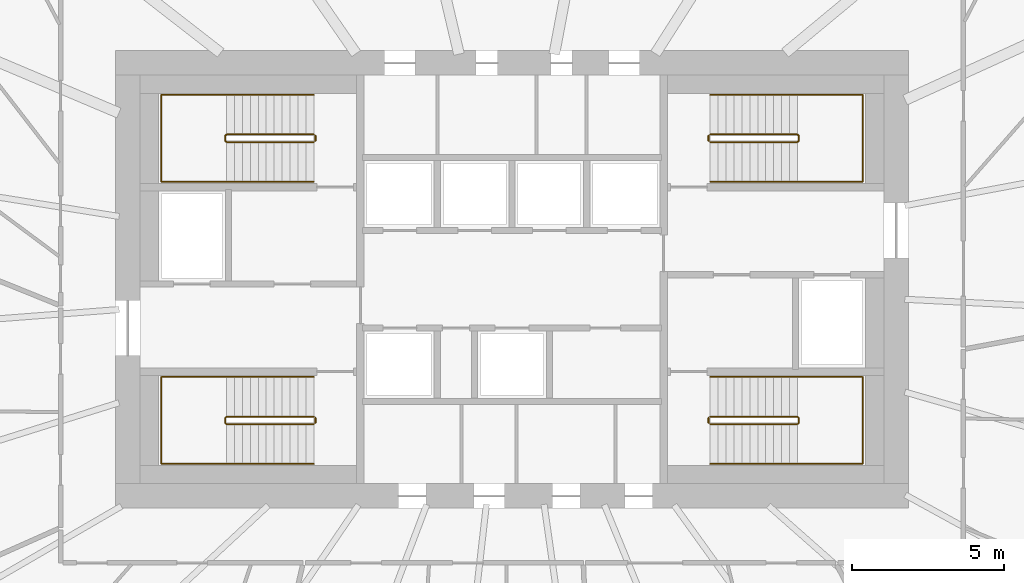
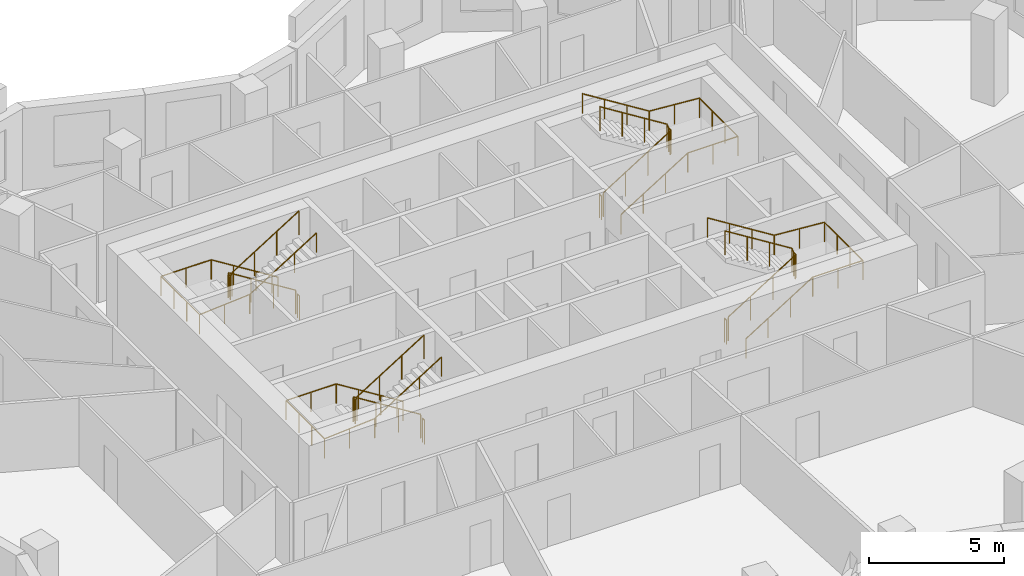
# One storey, part 10 of 10: 12 railings.
"""IFC4 building model written with IfcOpenShell, lengths in metres."""

from ifc_helpers import new_model, si_unit, direction, frame, origin, origin_2d, place, context, subcontext, project, spatial, circle, extrude, material, type_object, element, save


model = new_model("IFC4")

# Units and contexts
model_context = context("Model", 3, precision=1e-05, world=origin(), true_north=direction((0.0, 1.0)))
body_context = subcontext(model_context, "Body", "Model", "MODEL_VIEW")
ifc_project = project(units=[si_unit("LENGTHUNIT", "METRE"), si_unit("AREAUNIT", "SQUARE_METRE"), si_unit("VOLUMEUNIT", "CUBIC_METRE"), si_unit("PLANEANGLEUNIT", "RADIAN"), si_unit("MASSUNIT", "GRAM", prefix="KILO")], contexts=[model_context])

# Site, building, storey
site_placement = place(None, origin())
site = spatial("IfcSite", under=ifc_project, at=site_placement, CompositionType="ELEMENT")
building_placement = place(site_placement, origin())
building = spatial("IfcBuilding", under=site, at=building_placement, Name="Rubra Terraces Tower", CompositionType="ELEMENT")
storey_placement = place(building_placement, frame((0.0, 0.0, 256.5)))
storey = spatial("IfcBuildingStorey", under=building, at=storey_placement, Name="L63", CompositionType="ELEMENT", Elevation=256.5)

# Railings
ifc_material = material(Name="Stainless steel", Category="steel")
railing_type_1 = type_object("IfcRailingType", Name="Core stair guard 1100", PredefinedType="GUARDRAIL", material=ifc_material)
railing_1_placement = place(storey_placement, frame((-6.5, 0.0, 0.16259765625)))
element("IfcRailing", 1, at=railing_1_placement, inside=storey, type_object=railing_type_1, Name="L63 stair S1 guard 1", PredefinedType="GUARDRAIL", context=body_context, shape_type="SweptSolid", body=[
    extrude(circle(Radius=0.02392578125, at=origin_2d()), frame((0.0, 0.0, 1.076171875), z_axis=(-0.848026770018, 0.0, 0.529953391661), x_axis=(0.0, -1.0, 0.0)), (0.0, 0.0, 1.0), 3.37255859375),
    extrude(circle(Radius=0.02392578125, at=origin_2d()), frame((-2.860107421875, 0.0, 2.86328125), z_axis=(-0.705375805398, -0.708833529934, 0.0), x_axis=(0.708833529934, -0.705375805398, 0.0)), (0.0, 0.0, 1.0), 0.070556640625),
    extrude(circle(Radius=0.02392578125, at=origin_2d()), frame((-2.909912109375, -0.050048828125, 2.86328125), z_axis=(0.0, -1.0, 0.0), x_axis=(1.0, 0.0, 0.0)), (0.0, 0.0, 1.0), 0.14990234375),
    extrude(circle(Radius=0.02392578125, at=origin_2d()), frame((-2.909912109375, -0.199951171875, 2.86328125), z_axis=(0.280959487676, -0.282336740067, 0.917250092119), x_axis=(0.708833529934, 0.705375805398, 0.0)), (0.0, 0.0, 1.0), 0.17724609375),
    extrude(circle(Radius=0.02392578125, at=origin_2d()), frame((-2.860107421875, -0.25, 3.02587890625), z_axis=(0.848026770018, 0.0, 0.529953391661), x_axis=(0.0, 1.0, 0.0)), (0.0, 0.0, 1.0), 3.37255859375),
    extrude(circle(Radius=0.02099609375, at=origin_2d()), origin(), (0.0, 0.0, 1.0), 1.052001953125),
    extrude(circle(Radius=0.02099609375, at=origin_2d()), frame((-0.953369140625, 0.0, 0.595703125)), (0.0, 0.0, 1.0), 1.052001953125),
    extrude(circle(Radius=0.02099609375, at=origin_2d()), frame((-1.90673828125, 0.0, 1.191650390625)), (0.0, 0.0, 1.0), 1.052001953125),
    extrude(circle(Radius=0.02099609375, at=origin_2d()), frame((-2.860107421875, 0.0, 1.787353515625)), (0.0, 0.0, 1.0), 1.052001953125),
    extrude(circle(Radius=0.02099609375, at=origin_2d()), frame((-2.909912109375, -0.050048828125, 1.787353515625)), (0.0, 0.0, 1.0), 1.052001953125),
    extrude(circle(Radius=0.02099609375, at=origin_2d()), frame((-2.909912109375, -0.199951171875, 1.787353515625)), (0.0, 0.0, 1.0), 1.052001953125),
    extrude(circle(Radius=0.02099609375, at=origin_2d()), frame((-2.860107421875, -0.25, 1.949951171875)), (0.0, 0.0, 1.0), 1.052001953125),
    extrude(circle(Radius=0.02099609375, at=origin_2d()), frame((-1.90673828125, -0.25, 2.545654296875)), (0.0, 0.0, 1.0), 1.052001953125),
    extrude(circle(Radius=0.02099609375, at=origin_2d()), frame((-0.953369140625, -0.25, 3.1416015625)), (0.0, 0.0, 1.0), 1.052001953125),
    extrude(circle(Radius=0.02099609375, at=origin_2d()), frame((0.0, -0.25, 3.7373046875)), (0.0, 0.0, 1.0), 1.052001953125),
])
railing_2_placement = place(storey_placement, frame((-6.449951171875, -0.050048828125, 0.0)))
element("IfcRailing", 2, at=railing_2_placement, inside=storey, type_object=railing_type_1, Name="L63 stair S1 guard 2", PredefinedType="GUARDRAIL", context=body_context, shape_type="SweptSolid", body=[
    extrude(circle(Radius=0.02392578125, at=origin_2d()), frame((0.0, 0.0, 1.076171875), z_axis=(0.0, -1.0, 0.0), x_axis=(1.0, 0.0, 0.0)), (0.0, 0.0, 1.0), 0.14990234375),
    extrude(circle(Radius=0.02099609375, at=origin_2d()), origin(), (0.0, 0.0, 1.0), 1.052001953125),
    extrude(circle(Radius=0.02099609375, at=origin_2d()), frame((0.0, -0.14990234375, 0.0)), (0.0, 0.0, 1.0), 1.052001953125),
])
railing_3_placement = place(storey_placement, frame((-6.5, 9.25, 0.16259765625)))
element("IfcRailing", 3, at=railing_3_placement, inside=storey, type_object=railing_type_1, Name="L63 stair S2 guard 1", PredefinedType="GUARDRAIL", context=body_context, shape_type="SweptSolid", body=[
    extrude(circle(Radius=0.02392578125, at=origin_2d()), frame((0.0, 0.0, 1.076171875), z_axis=(-0.848026770018, 0.0, 0.529953391661), x_axis=(0.0, -1.0, 0.0)), (0.0, 0.0, 1.0), 3.37255859375),
    extrude(circle(Radius=0.02392578125, at=origin_2d()), frame((-2.860107421875, 0.0, 2.86328125), z_axis=(-0.705375805398, -0.708833529934, 0.0), x_axis=(0.708833529934, -0.705375805398, 0.0)), (0.0, 0.0, 1.0), 0.070556640625),
    extrude(circle(Radius=0.02392578125, at=origin_2d()), frame((-2.909912109375, -0.050048828125, 2.86328125), z_axis=(0.0, -1.0, 0.0), x_axis=(1.0, 0.0, 0.0)), (0.0, 0.0, 1.0), 0.14990234375),
    extrude(circle(Radius=0.02392578125, at=origin_2d()), frame((-2.909912109375, -0.199951171875, 2.86328125), z_axis=(0.280959487676, -0.282336740067, 0.917250092119), x_axis=(0.708833529934, 0.705375805398, 0.0)), (0.0, 0.0, 1.0), 0.17724609375),
    extrude(circle(Radius=0.02392578125, at=origin_2d()), frame((-2.860107421875, -0.25, 3.02587890625), z_axis=(0.848026770018, 0.0, 0.529953391661), x_axis=(0.0, 1.0, 0.0)), (0.0, 0.0, 1.0), 3.37255859375),
    extrude(circle(Radius=0.02099609375, at=origin_2d()), origin(), (0.0, 0.0, 1.0), 1.052001953125),
    extrude(circle(Radius=0.02099609375, at=origin_2d()), frame((-0.953369140625, 0.0, 0.595703125)), (0.0, 0.0, 1.0), 1.052001953125),
    extrude(circle(Radius=0.02099609375, at=origin_2d()), frame((-1.90673828125, 0.0, 1.191650390625)), (0.0, 0.0, 1.0), 1.052001953125),
    extrude(circle(Radius=0.02099609375, at=origin_2d()), frame((-2.860107421875, 0.0, 1.787353515625)), (0.0, 0.0, 1.0), 1.052001953125),
    extrude(circle(Radius=0.02099609375, at=origin_2d()), frame((-2.909912109375, -0.050048828125, 1.787353515625)), (0.0, 0.0, 1.0), 1.052001953125),
    extrude(circle(Radius=0.02099609375, at=origin_2d()), frame((-2.909912109375, -0.199951171875, 1.787353515625)), (0.0, 0.0, 1.0), 1.052001953125),
    extrude(circle(Radius=0.02099609375, at=origin_2d()), frame((-2.860107421875, -0.25, 1.949951171875)), (0.0, 0.0, 1.0), 1.052001953125),
    extrude(circle(Radius=0.02099609375, at=origin_2d()), frame((-1.90673828125, -0.25, 2.545654296875)), (0.0, 0.0, 1.0), 1.052001953125),
    extrude(circle(Radius=0.02099609375, at=origin_2d()), frame((-0.953369140625, -0.25, 3.1416015625)), (0.0, 0.0, 1.0), 1.052001953125),
    extrude(circle(Radius=0.02099609375, at=origin_2d()), frame((0.0, -0.25, 3.7373046875)), (0.0, 0.0, 1.0), 1.052001953125),
])
railing_4_placement = place(storey_placement, frame((-6.449951171875, 9.199951171875, 0.0)))
element("IfcRailing", 4, at=railing_4_placement, inside=storey, type_object=railing_type_1, Name="L63 stair S2 guard 2", PredefinedType="GUARDRAIL", context=body_context, shape_type="SweptSolid", body=[
    extrude(circle(Radius=0.02392578125, at=origin_2d()), frame((0.0, 0.0, 1.076171875), z_axis=(0.0, -1.0, 0.0), x_axis=(1.0, 0.0, 0.0)), (0.0, 0.0, 1.0), 0.14990234375),
    extrude(circle(Radius=0.02099609375, at=origin_2d()), origin(), (0.0, 0.0, 1.0), 1.052001953125),
    extrude(circle(Radius=0.02099609375, at=origin_2d()), frame((0.0, -0.14990234375, 0.0)), (0.0, 0.0, 1.0), 1.052001953125),
])
railing_5_placement = place(storey_placement, frame((6.5, 9.0, 0.16259765625)))
element("IfcRailing", 5, at=railing_5_placement, inside=storey, type_object=railing_type_1, Name="L63 stair S3 guard 1", PredefinedType="GUARDRAIL", context=body_context, shape_type="SweptSolid", body=[
    extrude(circle(Radius=0.02392578125, at=origin_2d()), frame((0.0, 0.0, 1.076171875), z_axis=(0.848026770018, 0.0, 0.529953391661), x_axis=(0.0, 1.0, 0.0)), (0.0, 0.0, 1.0), 3.37255859375),
    extrude(circle(Radius=0.02392578125, at=origin_2d()), frame((2.860107421875, 0.0, 2.86328125), z_axis=(0.705375805398, 0.708833529934, 0.0), x_axis=(-0.708833529934, 0.705375805398, 0.0)), (0.0, 0.0, 1.0), 0.070556640625),
    extrude(circle(Radius=0.02392578125, at=origin_2d()), frame((2.909912109375, 0.050048828125, 2.86328125), z_axis=(0.0, 1.0, 0.0), x_axis=(-1.0, 0.0, 0.0)), (0.0, 0.0, 1.0), 0.14990234375),
    extrude(circle(Radius=0.02392578125, at=origin_2d()), frame((2.909912109375, 0.199951171875, 2.86328125), z_axis=(-0.280959487676, 0.282336740067, 0.917250092119), x_axis=(-0.708833529934, -0.705375805398, 0.0)), (0.0, 0.0, 1.0), 0.17724609375),
    extrude(circle(Radius=0.02392578125, at=origin_2d()), frame((2.860107421875, 0.25, 3.02587890625), z_axis=(-0.848026770018, 0.0, 0.529953391661), x_axis=(0.0, -1.0, 0.0)), (0.0, 0.0, 1.0), 3.37255859375),
    extrude(circle(Radius=0.02099609375, at=origin_2d()), origin(), (0.0, 0.0, 1.0), 1.052001953125),
    extrude(circle(Radius=0.02099609375, at=origin_2d()), frame((0.953369140625, 0.0, 0.595703125)), (0.0, 0.0, 1.0), 1.052001953125),
    extrude(circle(Radius=0.02099609375, at=origin_2d()), frame((1.90673828125, 0.0, 1.191650390625)), (0.0, 0.0, 1.0), 1.052001953125),
    extrude(circle(Radius=0.02099609375, at=origin_2d()), frame((2.860107421875, 0.0, 1.787353515625)), (0.0, 0.0, 1.0), 1.052001953125),
    extrude(circle(Radius=0.02099609375, at=origin_2d()), frame((2.909912109375, 0.050048828125, 1.787353515625)), (0.0, 0.0, 1.0), 1.052001953125),
    extrude(circle(Radius=0.02099609375, at=origin_2d()), frame((2.909912109375, 0.199951171875, 1.787353515625)), (0.0, 0.0, 1.0), 1.052001953125),
    extrude(circle(Radius=0.02099609375, at=origin_2d()), frame((2.860107421875, 0.25, 1.949951171875)), (0.0, 0.0, 1.0), 1.052001953125),
    extrude(circle(Radius=0.02099609375, at=origin_2d()), frame((1.90673828125, 0.25, 2.545654296875)), (0.0, 0.0, 1.0), 1.052001953125),
    extrude(circle(Radius=0.02099609375, at=origin_2d()), frame((0.953369140625, 0.25, 3.1416015625)), (0.0, 0.0, 1.0), 1.052001953125),
    extrude(circle(Radius=0.02099609375, at=origin_2d()), frame((0.0, 0.25, 3.7373046875)), (0.0, 0.0, 1.0), 1.052001953125),
])
railing_6_placement = place(storey_placement, frame((6.449951171875, 9.050048828125, 0.0)))
element("IfcRailing", 6, at=railing_6_placement, inside=storey, type_object=railing_type_1, Name="L63 stair S3 guard 2", PredefinedType="GUARDRAIL", context=body_context, shape_type="SweptSolid", body=[
    extrude(circle(Radius=0.02392578125, at=origin_2d()), frame((0.0, 0.0, 1.076171875), z_axis=(0.0, 1.0, 0.0), x_axis=(-1.0, 0.0, 0.0)), (0.0, 0.0, 1.0), 0.14990234375),
    extrude(circle(Radius=0.02099609375, at=origin_2d()), origin(), (0.0, 0.0, 1.0), 1.052001953125),
    extrude(circle(Radius=0.02099609375, at=origin_2d()), frame((0.0, 0.14990234375, 0.0)), (0.0, 0.0, 1.0), 1.052001953125),
])
railing_7_placement = place(storey_placement, frame((6.5, -0.25, 0.16259765625)))
element("IfcRailing", 7, at=railing_7_placement, inside=storey, type_object=railing_type_1, Name="L63 stair S4 guard 1", PredefinedType="GUARDRAIL", context=body_context, shape_type="SweptSolid", body=[
    extrude(circle(Radius=0.02392578125, at=origin_2d()), frame((0.0, 0.0, 1.076171875), z_axis=(0.848026770018, 0.0, 0.529953391661), x_axis=(0.0, 1.0, 0.0)), (0.0, 0.0, 1.0), 3.37255859375),
    extrude(circle(Radius=0.02392578125, at=origin_2d()), frame((2.860107421875, 0.0, 2.86328125), z_axis=(0.705375805398, 0.708833529934, 0.0), x_axis=(-0.708833529934, 0.705375805398, 0.0)), (0.0, 0.0, 1.0), 0.070556640625),
    extrude(circle(Radius=0.02392578125, at=origin_2d()), frame((2.909912109375, 0.050048828125, 2.86328125), z_axis=(0.0, 1.0, 0.0), x_axis=(-1.0, 0.0, 0.0)), (0.0, 0.0, 1.0), 0.14990234375),
    extrude(circle(Radius=0.02392578125, at=origin_2d()), frame((2.909912109375, 0.199951171875, 2.86328125), z_axis=(-0.280959487676, 0.282336740067, 0.917250092119), x_axis=(-0.708833529934, -0.705375805398, 0.0)), (0.0, 0.0, 1.0), 0.17724609375),
    extrude(circle(Radius=0.02392578125, at=origin_2d()), frame((2.860107421875, 0.25, 3.02587890625), z_axis=(-0.848026770018, 0.0, 0.529953391661), x_axis=(0.0, -1.0, 0.0)), (0.0, 0.0, 1.0), 3.37255859375),
    extrude(circle(Radius=0.02099609375, at=origin_2d()), origin(), (0.0, 0.0, 1.0), 1.052001953125),
    extrude(circle(Radius=0.02099609375, at=origin_2d()), frame((0.953369140625, 0.0, 0.595703125)), (0.0, 0.0, 1.0), 1.052001953125),
    extrude(circle(Radius=0.02099609375, at=origin_2d()), frame((1.90673828125, 0.0, 1.191650390625)), (0.0, 0.0, 1.0), 1.052001953125),
    extrude(circle(Radius=0.02099609375, at=origin_2d()), frame((2.860107421875, 0.0, 1.787353515625)), (0.0, 0.0, 1.0), 1.052001953125),
    extrude(circle(Radius=0.02099609375, at=origin_2d()), frame((2.909912109375, 0.050048828125, 1.787353515625)), (0.0, 0.0, 1.0), 1.052001953125),
    extrude(circle(Radius=0.02099609375, at=origin_2d()), frame((2.909912109375, 0.199951171875, 1.787353515625)), (0.0, 0.0, 1.0), 1.052001953125),
    extrude(circle(Radius=0.02099609375, at=origin_2d()), frame((2.860107421875, 0.25, 1.949951171875)), (0.0, 0.0, 1.0), 1.052001953125),
    extrude(circle(Radius=0.02099609375, at=origin_2d()), frame((1.90673828125, 0.25, 2.545654296875)), (0.0, 0.0, 1.0), 1.052001953125),
    extrude(circle(Radius=0.02099609375, at=origin_2d()), frame((0.953369140625, 0.25, 3.1416015625)), (0.0, 0.0, 1.0), 1.052001953125),
    extrude(circle(Radius=0.02099609375, at=origin_2d()), frame((0.0, 0.25, 3.7373046875)), (0.0, 0.0, 1.0), 1.052001953125),
])
railing_8_placement = place(storey_placement, frame((6.449951171875, -0.199951171875, 0.0)))
element("IfcRailing", 8, at=railing_8_placement, inside=storey, type_object=railing_type_1, Name="L63 stair S4 guard 2", PredefinedType="GUARDRAIL", context=body_context, shape_type="SweptSolid", body=[
    extrude(circle(Radius=0.02392578125, at=origin_2d()), frame((0.0, 0.0, 1.076171875), z_axis=(0.0, 1.0, 0.0), x_axis=(-1.0, 0.0, 0.0)), (0.0, 0.0, 1.0), 0.14990234375),
    extrude(circle(Radius=0.02099609375, at=origin_2d()), origin(), (0.0, 0.0, 1.0), 1.052001953125),
    extrude(circle(Radius=0.02099609375, at=origin_2d()), frame((0.0, 0.14990234375, 0.0)), (0.0, 0.0, 1.0), 1.052001953125),
])
railing_type_2 = type_object("IfcRailingType", Name="Core stair handrail 900", PredefinedType="HANDRAIL", material=ifc_material)
railing_9_placement = place(storey_placement, frame((-6.5, 1.300048828125, 0.16259765625)))
element("IfcRailing", 9, at=railing_9_placement, inside=storey, type_object=railing_type_2, Name="L63 stair S1 handrail 1", PredefinedType="HANDRAIL", context=body_context, shape_type="SweptSolid", body=[
    extrude(circle(Radius=0.02392578125, at=origin_2d()), frame((0.0, 0.0, 0.8759765625), z_axis=(-0.848026770018, 0.0, 0.529953391661), x_axis=(0.0, -1.0, 0.0)), (0.0, 0.0, 1.0), 3.37255859375),
    extrude(circle(Radius=0.02392578125, at=origin_2d()), frame((-2.860107421875, 0.0, 2.6630859375), z_axis=(-1.0, 0.0, 0.0), x_axis=(0.0, -1.0, 0.0)), (0.0, 0.0, 1.0), 2.139892578125),
    extrude(circle(Radius=0.02392578125, at=origin_2d()), frame((-5.0, 0.0, 2.6630859375), z_axis=(0.0, -1.0, 0.0), x_axis=(1.0, 0.0, 0.0)), (0.0, 0.0, 1.0), 2.85009765625),
    extrude(circle(Radius=0.02392578125, at=origin_2d()), frame((-5.0, -2.85009765625, 2.6630859375), z_axis=(0.997125654253, 0.0, 0.075765623016), x_axis=(0.0, 1.0, 0.0)), (0.0, 0.0, 1.0), 2.14599609375),
    extrude(circle(Radius=0.02392578125, at=origin_2d()), frame((-2.860107421875, -2.85009765625, 2.82568359375), z_axis=(0.848026770018, 0.0, 0.529953391661), x_axis=(0.0, 1.0, 0.0)), (0.0, 0.0, 1.0), 3.37255859375),
    extrude(circle(Radius=0.02099609375, at=origin_2d()), origin(), (0.0, 0.0, 1.0), 0.851806640625),
    extrude(circle(Radius=0.02099609375, at=origin_2d()), frame((-0.953369140625, 0.0, 0.595703125)), (0.0, 0.0, 1.0), 0.851806640625),
    extrude(circle(Radius=0.02099609375, at=origin_2d()), frame((-1.90673828125, 0.0, 1.191650390625)), (0.0, 0.0, 1.0), 0.851806640625),
    extrude(circle(Radius=0.02099609375, at=origin_2d()), frame((-2.860107421875, 0.0, 1.787353515625)), (0.0, 0.0, 1.0), 0.851806640625),
    extrude(circle(Radius=0.02099609375, at=origin_2d()), frame((-3.93017578125, 0.0, 1.787353515625)), (0.0, 0.0, 1.0), 0.851806640625),
    extrude(circle(Radius=0.02099609375, at=origin_2d()), frame((-5.0, 0.0, 1.787353515625)), (0.0, 0.0, 1.0), 0.851806640625),
    extrude(circle(Radius=0.02099609375, at=origin_2d()), frame((-5.0, -0.949951171875, 1.787353515625)), (0.0, 0.0, 1.0), 0.851806640625),
    extrude(circle(Radius=0.02099609375, at=origin_2d()), frame((-5.0, -1.900146484375, 1.787353515625)), (0.0, 0.0, 1.0), 0.851806640625),
    extrude(circle(Radius=0.02099609375, at=origin_2d()), frame((-5.0, -2.85009765625, 1.787353515625)), (0.0, 0.0, 1.0), 0.851806640625),
    extrude(circle(Radius=0.02099609375, at=origin_2d()), frame((-3.93017578125, -2.85009765625, 1.86865234375)), (0.0, 0.0, 1.0), 0.851806640625),
    extrude(circle(Radius=0.02099609375, at=origin_2d()), frame((-2.860107421875, -2.85009765625, 1.949951171875)), (0.0, 0.0, 1.0), 0.851806640625),
    extrude(circle(Radius=0.02099609375, at=origin_2d()), frame((-1.90673828125, -2.85009765625, 2.545654296875)), (0.0, 0.0, 1.0), 0.851806640625),
    extrude(circle(Radius=0.02099609375, at=origin_2d()), frame((-0.953369140625, -2.85009765625, 3.1416015625)), (0.0, 0.0, 1.0), 0.851806640625),
    extrude(circle(Radius=0.02099609375, at=origin_2d()), frame((0.0, -2.85009765625, 3.7373046875)), (0.0, 0.0, 1.0), 0.851806640625),
])
railing_10_placement = place(storey_placement, frame((-6.5, 10.550048828125, 0.16259765625)))
element("IfcRailing", 10, at=railing_10_placement, inside=storey, type_object=railing_type_2, Name="L63 stair S2 handrail 1", PredefinedType="HANDRAIL", context=body_context, shape_type="SweptSolid", body=[
    extrude(circle(Radius=0.02392578125, at=origin_2d()), frame((0.0, 0.0, 0.8759765625), z_axis=(-0.848026770018, 0.0, 0.529953391661), x_axis=(0.0, -1.0, 0.0)), (0.0, 0.0, 1.0), 3.37255859375),
    extrude(circle(Radius=0.02392578125, at=origin_2d()), frame((-2.860107421875, 0.0, 2.6630859375), z_axis=(-1.0, 0.0, 0.0), x_axis=(0.0, -1.0, 0.0)), (0.0, 0.0, 1.0), 2.139892578125),
    extrude(circle(Radius=0.02392578125, at=origin_2d()), frame((-5.0, 0.0, 2.6630859375), z_axis=(0.0, -1.0, 0.0), x_axis=(1.0, 0.0, 0.0)), (0.0, 0.0, 1.0), 2.85009765625),
    extrude(circle(Radius=0.02392578125, at=origin_2d()), frame((-5.0, -2.85009765625, 2.6630859375), z_axis=(0.997125654253, 0.0, 0.075765623016), x_axis=(0.0, 1.0, 0.0)), (0.0, 0.0, 1.0), 2.14599609375),
    extrude(circle(Radius=0.02392578125, at=origin_2d()), frame((-2.860107421875, -2.85009765625, 2.82568359375), z_axis=(0.848026770018, 0.0, 0.529953391661), x_axis=(0.0, 1.0, 0.0)), (0.0, 0.0, 1.0), 3.37255859375),
    extrude(circle(Radius=0.02099609375, at=origin_2d()), origin(), (0.0, 0.0, 1.0), 0.851806640625),
    extrude(circle(Radius=0.02099609375, at=origin_2d()), frame((-0.953369140625, 0.0, 0.595703125)), (0.0, 0.0, 1.0), 0.851806640625),
    extrude(circle(Radius=0.02099609375, at=origin_2d()), frame((-1.90673828125, 0.0, 1.191650390625)), (0.0, 0.0, 1.0), 0.851806640625),
    extrude(circle(Radius=0.02099609375, at=origin_2d()), frame((-2.860107421875, 0.0, 1.787353515625)), (0.0, 0.0, 1.0), 0.851806640625),
    extrude(circle(Radius=0.02099609375, at=origin_2d()), frame((-3.93017578125, 0.0, 1.787353515625)), (0.0, 0.0, 1.0), 0.851806640625),
    extrude(circle(Radius=0.02099609375, at=origin_2d()), frame((-5.0, 0.0, 1.787353515625)), (0.0, 0.0, 1.0), 0.851806640625),
    extrude(circle(Radius=0.02099609375, at=origin_2d()), frame((-5.0, -0.949951171875, 1.787353515625)), (0.0, 0.0, 1.0), 0.851806640625),
    extrude(circle(Radius=0.02099609375, at=origin_2d()), frame((-5.0, -1.900146484375, 1.787353515625)), (0.0, 0.0, 1.0), 0.851806640625),
    extrude(circle(Radius=0.02099609375, at=origin_2d()), frame((-5.0, -2.85009765625, 1.787353515625)), (0.0, 0.0, 1.0), 0.851806640625),
    extrude(circle(Radius=0.02099609375, at=origin_2d()), frame((-3.93017578125, -2.85009765625, 1.86865234375)), (0.0, 0.0, 1.0), 0.851806640625),
    extrude(circle(Radius=0.02099609375, at=origin_2d()), frame((-2.860107421875, -2.85009765625, 1.949951171875)), (0.0, 0.0, 1.0), 0.851806640625),
    extrude(circle(Radius=0.02099609375, at=origin_2d()), frame((-1.90673828125, -2.85009765625, 2.545654296875)), (0.0, 0.0, 1.0), 0.851806640625),
    extrude(circle(Radius=0.02099609375, at=origin_2d()), frame((-0.953369140625, -2.85009765625, 3.1416015625)), (0.0, 0.0, 1.0), 0.851806640625),
    extrude(circle(Radius=0.02099609375, at=origin_2d()), frame((0.0, -2.85009765625, 3.7373046875)), (0.0, 0.0, 1.0), 0.851806640625),
])
railing_11_placement = place(storey_placement, frame((6.5, 7.699951171875, 0.16259765625)))
element("IfcRailing", 11, at=railing_11_placement, inside=storey, type_object=railing_type_2, Name="L63 stair S3 handrail 1", PredefinedType="HANDRAIL", context=body_context, shape_type="SweptSolid", body=[
    extrude(circle(Radius=0.02392578125, at=origin_2d()), frame((0.0, 0.0, 0.8759765625), z_axis=(0.848026770018, 0.0, 0.529953391661), x_axis=(0.0, 1.0, 0.0)), (0.0, 0.0, 1.0), 3.37255859375),
    extrude(circle(Radius=0.02392578125, at=origin_2d()), frame((2.860107421875, 0.0, 2.6630859375), z_axis=(1.0, 0.0, 0.0), x_axis=(0.0, 1.0, 0.0)), (0.0, 0.0, 1.0), 2.139892578125),
    extrude(circle(Radius=0.02392578125, at=origin_2d()), frame((5.0, 0.0, 2.6630859375), z_axis=(0.0, 1.0, 0.0), x_axis=(-1.0, 0.0, 0.0)), (0.0, 0.0, 1.0), 2.85009765625),
    extrude(circle(Radius=0.02392578125, at=origin_2d()), frame((5.0, 2.85009765625, 2.6630859375), z_axis=(-0.997125654253, 0.0, 0.075765623016), x_axis=(0.0, -1.0, 0.0)), (0.0, 0.0, 1.0), 2.14599609375),
    extrude(circle(Radius=0.02392578125, at=origin_2d()), frame((2.860107421875, 2.85009765625, 2.82568359375), z_axis=(-0.848026770018, 0.0, 0.529953391661), x_axis=(0.0, -1.0, 0.0)), (0.0, 0.0, 1.0), 3.37255859375),
    extrude(circle(Radius=0.02099609375, at=origin_2d()), origin(), (0.0, 0.0, 1.0), 0.851806640625),
    extrude(circle(Radius=0.02099609375, at=origin_2d()), frame((0.953369140625, 0.0, 0.595703125)), (0.0, 0.0, 1.0), 0.851806640625),
    extrude(circle(Radius=0.02099609375, at=origin_2d()), frame((1.90673828125, 0.0, 1.191650390625)), (0.0, 0.0, 1.0), 0.851806640625),
    extrude(circle(Radius=0.02099609375, at=origin_2d()), frame((2.860107421875, 0.0, 1.787353515625)), (0.0, 0.0, 1.0), 0.851806640625),
    extrude(circle(Radius=0.02099609375, at=origin_2d()), frame((3.93017578125, 0.0, 1.787353515625)), (0.0, 0.0, 1.0), 0.851806640625),
    extrude(circle(Radius=0.02099609375, at=origin_2d()), frame((5.0, 0.0, 1.787353515625)), (0.0, 0.0, 1.0), 0.851806640625),
    extrude(circle(Radius=0.02099609375, at=origin_2d()), frame((5.0, 0.949951171875, 1.787353515625)), (0.0, 0.0, 1.0), 0.851806640625),
    extrude(circle(Radius=0.02099609375, at=origin_2d()), frame((5.0, 1.900146484375, 1.787353515625)), (0.0, 0.0, 1.0), 0.851806640625),
    extrude(circle(Radius=0.02099609375, at=origin_2d()), frame((5.0, 2.85009765625, 1.787353515625)), (0.0, 0.0, 1.0), 0.851806640625),
    extrude(circle(Radius=0.02099609375, at=origin_2d()), frame((3.93017578125, 2.85009765625, 1.86865234375)), (0.0, 0.0, 1.0), 0.851806640625),
    extrude(circle(Radius=0.02099609375, at=origin_2d()), frame((2.860107421875, 2.85009765625, 1.949951171875)), (0.0, 0.0, 1.0), 0.851806640625),
    extrude(circle(Radius=0.02099609375, at=origin_2d()), frame((1.90673828125, 2.85009765625, 2.545654296875)), (0.0, 0.0, 1.0), 0.851806640625),
    extrude(circle(Radius=0.02099609375, at=origin_2d()), frame((0.953369140625, 2.85009765625, 3.1416015625)), (0.0, 0.0, 1.0), 0.851806640625),
    extrude(circle(Radius=0.02099609375, at=origin_2d()), frame((0.0, 2.85009765625, 3.7373046875)), (0.0, 0.0, 1.0), 0.851806640625),
])
railing_12_placement = place(storey_placement, frame((6.5, -1.550048828125, 0.16259765625)))
element("IfcRailing", 12, at=railing_12_placement, inside=storey, type_object=railing_type_2, Name="L63 stair S4 handrail 1", PredefinedType="HANDRAIL", context=body_context, shape_type="SweptSolid", body=[
    extrude(circle(Radius=0.02392578125, at=origin_2d()), frame((0.0, 0.0, 0.8759765625), z_axis=(0.848026770018, 0.0, 0.529953391661), x_axis=(0.0, 1.0, 0.0)), (0.0, 0.0, 1.0), 3.37255859375),
    extrude(circle(Radius=0.02392578125, at=origin_2d()), frame((2.860107421875, 0.0, 2.6630859375), z_axis=(1.0, 0.0, 0.0), x_axis=(0.0, 1.0, 0.0)), (0.0, 0.0, 1.0), 2.139892578125),
    extrude(circle(Radius=0.02392578125, at=origin_2d()), frame((5.0, 0.0, 2.6630859375), z_axis=(0.0, 1.0, 0.0), x_axis=(-1.0, 0.0, 0.0)), (0.0, 0.0, 1.0), 2.85009765625),
    extrude(circle(Radius=0.02392578125, at=origin_2d()), frame((5.0, 2.85009765625, 2.6630859375), z_axis=(-0.997125654253, 0.0, 0.075765623016), x_axis=(0.0, -1.0, 0.0)), (0.0, 0.0, 1.0), 2.14599609375),
    extrude(circle(Radius=0.02392578125, at=origin_2d()), frame((2.860107421875, 2.85009765625, 2.82568359375), z_axis=(-0.848026770018, 0.0, 0.529953391661), x_axis=(0.0, -1.0, 0.0)), (0.0, 0.0, 1.0), 3.37255859375),
    extrude(circle(Radius=0.02099609375, at=origin_2d()), origin(), (0.0, 0.0, 1.0), 0.851806640625),
    extrude(circle(Radius=0.02099609375, at=origin_2d()), frame((0.953369140625, 0.0, 0.595703125)), (0.0, 0.0, 1.0), 0.851806640625),
    extrude(circle(Radius=0.02099609375, at=origin_2d()), frame((1.90673828125, 0.0, 1.191650390625)), (0.0, 0.0, 1.0), 0.851806640625),
    extrude(circle(Radius=0.02099609375, at=origin_2d()), frame((2.860107421875, 0.0, 1.787353515625)), (0.0, 0.0, 1.0), 0.851806640625),
    extrude(circle(Radius=0.02099609375, at=origin_2d()), frame((3.93017578125, 0.0, 1.787353515625)), (0.0, 0.0, 1.0), 0.851806640625),
    extrude(circle(Radius=0.02099609375, at=origin_2d()), frame((5.0, 0.0, 1.787353515625)), (0.0, 0.0, 1.0), 0.851806640625),
    extrude(circle(Radius=0.02099609375, at=origin_2d()), frame((5.0, 0.949951171875, 1.787353515625)), (0.0, 0.0, 1.0), 0.851806640625),
    extrude(circle(Radius=0.02099609375, at=origin_2d()), frame((5.0, 1.900146484375, 1.787353515625)), (0.0, 0.0, 1.0), 0.851806640625),
    extrude(circle(Radius=0.02099609375, at=origin_2d()), frame((5.0, 2.85009765625, 1.787353515625)), (0.0, 0.0, 1.0), 0.851806640625),
    extrude(circle(Radius=0.02099609375, at=origin_2d()), frame((3.93017578125, 2.85009765625, 1.86865234375)), (0.0, 0.0, 1.0), 0.851806640625),
    extrude(circle(Radius=0.02099609375, at=origin_2d()), frame((2.860107421875, 2.85009765625, 1.949951171875)), (0.0, 0.0, 1.0), 0.851806640625),
    extrude(circle(Radius=0.02099609375, at=origin_2d()), frame((1.90673828125, 2.85009765625, 2.545654296875)), (0.0, 0.0, 1.0), 0.851806640625),
    extrude(circle(Radius=0.02099609375, at=origin_2d()), frame((0.953369140625, 2.85009765625, 3.1416015625)), (0.0, 0.0, 1.0), 0.851806640625),
    extrude(circle(Radius=0.02099609375, at=origin_2d()), frame((0.0, 2.85009765625, 3.7373046875)), (0.0, 0.0, 1.0), 0.851806640625),
])

save(model, "model.ifc")
